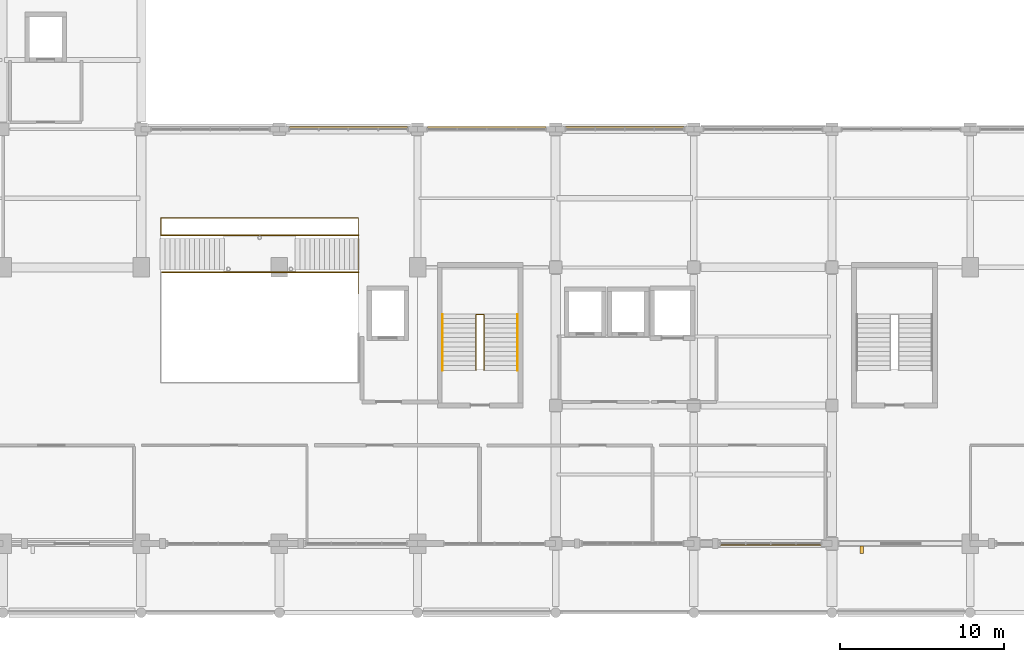
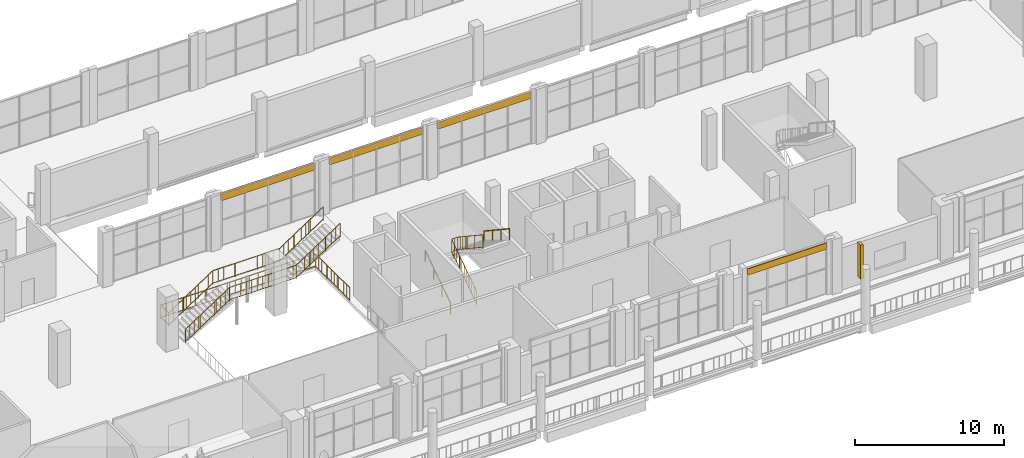
# One storey, part 71 of 75: 6 railings, 4 shading devices, 1 covering.
"""IFC4 building model written with IfcOpenShell, lengths in metres."""

from ifc_helpers import new_model, si_unit, derived_unit, direction, frame, origin, origin_2d, place, context, subcontext, project, spatial, rectangle, circle, extrude, material, layer, layer_set, type_object, element, save


model = new_model("IFC4")

# Units and contexts
model_context = context("Model", 3, precision=1e-05, world=origin(), true_north=direction((0.0, 1.0)))
body_context = subcontext(model_context, "Body", "Model", "MODEL_VIEW")
ifc_project = project(units=[si_unit("LENGTHUNIT", "METRE"), si_unit("AREAUNIT", "SQUARE_METRE"), si_unit("VOLUMEUNIT", "CUBIC_METRE"), si_unit("PLANEANGLEUNIT", "RADIAN"), si_unit("MASSUNIT", "GRAM", prefix="KILO"), derived_unit("THERMALTRANSMITTANCEUNIT", [(si_unit("POWERUNIT", "WATT"), 1), (si_unit("LENGTHUNIT", "METRE"), -2), (si_unit("THERMODYNAMICTEMPERATUREUNIT", "KELVIN"), -1)])], contexts=[model_context])

# Site, building, storey
site_placement = place(None, origin())
site = spatial("IfcSite", under=ifc_project, at=site_placement, CompositionType="ELEMENT")
building_placement = place(site_placement, origin())
building = spatial("IfcBuilding", under=site, at=building_placement, Name="Barrovel Congress Hotel", CompositionType="ELEMENT")
storey_placement = place(building_placement, frame((0.0, 0.0, 5.39990234375)))
storey = spatial("IfcBuildingStorey", under=building, at=storey_placement, Name="L01", CompositionType="ELEMENT", Elevation=5.39990234375)

# Covering
ifc_material_1 = material(Name="Glazed Terracotta Spandrel", Category="masonry")
ifc_layer_1 = layer(ifc_material_1, 0.1201171875)
ifc_layer_set_1 = layer_set([ifc_layer_1], Name="Glazed Terracotta Spandrel")
covering_type = type_object("IfcCoveringType", Name="COV-CLAD-TERRA", PredefinedType="CLADDING", material=ifc_layer_set_1)
covering_placement = place(storey_placement, frame((97.080078125, 4.14990234375, 3.710205078125), z_axis=(0.0, 0.0, 1.0), x_axis=(1.0, 0.0, 0.0)))
element("IfcCovering", 1, at=covering_placement, inside=storey, type_object=covering_type, Name="CLAD:L01:S:11", PredefinedType="CLADDING", context=body_context, shape_type="SweptSolid", body=[
    extrude(rectangle(XDim=6.1201171875, YDim=0.1201171875, at=origin_2d()), origin(), (0.0, 0.0, 1.0), 0.52001953125),
])

# Railings
ifc_material_2 = material(Name="Painted Architectural Steel", Category="steel")
ifc_layer_2 = layer(ifc_material_2, 0.070068359375)
ifc_layer_set_2 = layer_set([ifc_layer_2], Name="Painted Architectural Steel")
railing_type_1 = type_object("IfcRailingType", Name="RAIL-GUARD-INT", PredefinedType="BALUSTRADE", material=ifc_layer_set_2)
railing_1_placement = place(storey_placement, frame((79.159912109375, 14.739990234375, 0.0)))
element("IfcRailing", 2, at=railing_1_placement, inside=storey, type_object=railing_type_1, Name="STAIR:XS-02:L01:GR-W", PredefinedType="BALUSTRADE", context=body_context, shape_type="SweptSolid", body=[
    extrude(circle(Radius=0.02392578125, at=origin_2d()), frame((0.0, 0.0, 1.11572265625), z_axis=(0.0, 0.833174834292, 0.553009670352), x_axis=(-1.0, 0.0, 0.0)), (0.0, 0.0, 1.0), 4.068603515625),
    extrude(circle(Radius=0.02392578125, at=origin_2d()), frame((0.0, 0.0, 0.10009765625), z_axis=(0.0, 0.833174834292, 0.553009670352), x_axis=(-1.0, 0.0, 0.0)), (0.0, 0.0, 1.0), 4.068603515625),
    extrude(circle(Radius=0.010009765625, at=origin_2d()), frame((0.0, 0.3388671875, 0.324951171875)), (0.0, 0.0, 1.0), 0.99169921875),
    extrude(circle(Radius=0.010009765625, at=origin_2d()), frame((0.0, 0.677978515625, 0.550048828125)), (0.0, 0.0, 1.0), 0.99169921875),
    extrude(circle(Radius=0.010009765625, at=origin_2d()), frame((0.0, 1.01708984375, 0.77490234375)), (0.0, 0.0, 1.0), 0.99169921875),
    extrude(circle(Radius=0.010009765625, at=origin_2d()), frame((0.0, 1.35595703125, 1.0)), (0.0, 0.0, 1.0), 0.99169921875),
    extrude(circle(Radius=0.010009765625, at=origin_2d()), frame((0.0, 1.69482421875, 1.22509765625)), (0.0, 0.0, 1.0), 0.99169921875),
    extrude(circle(Radius=0.010009765625, at=origin_2d()), frame((0.0, 2.033935546875, 1.449951171875)), (0.0, 0.0, 1.0), 0.99169921875),
    extrude(circle(Radius=0.010009765625, at=origin_2d()), frame((0.0, 2.373046875, 1.675048828125)), (0.0, 0.0, 1.0), 0.99169921875),
    extrude(circle(Radius=0.010009765625, at=origin_2d()), frame((0.0, 2.7119140625, 1.89990234375)), (0.0, 0.0, 1.0), 0.99169921875),
    extrude(circle(Radius=0.010009765625, at=origin_2d()), frame((0.0, 3.05078125, 2.125)), (0.0, 0.0, 1.0), 0.99169921875),
    extrude(circle(Radius=0.02392578125, at=origin_2d()), frame((0.0, 3.389892578125, 3.36572265625), z_axis=(1.0, 0.0, 0.0), x_axis=(0.0, 1.0, 0.0)), (0.0, 0.0, 1.0), 0.47998046875),
    extrude(circle(Radius=0.02392578125, at=origin_2d()), frame((0.0, 3.389892578125, 2.35009765625), z_axis=(1.0, 0.0, 0.0), x_axis=(0.0, 1.0, 0.0)), (0.0, 0.0, 1.0), 0.47998046875),
    extrude(circle(Radius=0.010009765625, at=origin_2d()), frame((0.239990234375, 3.389892578125, 2.35009765625)), (0.0, 0.0, 1.0), 0.99169921875),
    extrude(circle(Radius=0.02392578125, at=origin_2d()), frame((0.47998046875, 3.389892578125, 3.36572265625), z_axis=(0.0, -0.833174834292, 0.553009670352), x_axis=(1.0, 0.0, 0.0)), (0.0, 0.0, 1.0), 4.068603515625),
    extrude(circle(Radius=0.02392578125, at=origin_2d()), frame((0.47998046875, 3.389892578125, 2.35009765625), z_axis=(0.0, -0.833174834292, 0.553009670352), x_axis=(1.0, 0.0, 0.0)), (0.0, 0.0, 1.0), 4.068603515625),
    extrude(circle(Radius=0.010009765625, at=origin_2d()), frame((0.47998046875, 3.05078125, 2.574951171875)), (0.0, 0.0, 1.0), 0.99169921875),
    extrude(circle(Radius=0.010009765625, at=origin_2d()), frame((0.47998046875, 2.7119140625, 2.800048828125)), (0.0, 0.0, 1.0), 0.99169921875),
    extrude(circle(Radius=0.010009765625, at=origin_2d()), frame((0.47998046875, 2.373046875, 3.02490234375)), (0.0, 0.0, 1.0), 0.99169921875),
    extrude(circle(Radius=0.010009765625, at=origin_2d()), frame((0.47998046875, 2.033935546875, 3.25)), (0.0, 0.0, 1.0), 0.99169921875),
    extrude(circle(Radius=0.010009765625, at=origin_2d()), frame((0.47998046875, 1.69482421875, 3.47509765625)), (0.0, 0.0, 1.0), 0.99169921875),
    extrude(circle(Radius=0.010009765625, at=origin_2d()), frame((0.47998046875, 1.35595703125, 3.699951171875)), (0.0, 0.0, 1.0), 0.99169921875),
    extrude(circle(Radius=0.010009765625, at=origin_2d()), frame((0.47998046875, 1.01708984375, 3.925048828125)), (0.0, 0.0, 1.0), 0.99169921875),
    extrude(circle(Radius=0.010009765625, at=origin_2d()), frame((0.47998046875, 0.677978515625, 4.14990234375)), (0.0, 0.0, 1.0), 0.99169921875),
    extrude(circle(Radius=0.010009765625, at=origin_2d()), frame((0.47998046875, 0.3388671875, 4.375)), (0.0, 0.0, 1.0), 0.99169921875),
    extrude(circle(Radius=0.02099609375, at=origin_2d()), origin(), (0.0, 0.0, 1.0), 1.091796875),
    extrude(circle(Radius=0.02099609375, at=origin_2d()), frame((0.0, 1.1298828125, 0.75)), (0.0, 0.0, 1.0), 1.091796875),
    extrude(circle(Radius=0.02099609375, at=origin_2d()), frame((0.0, 2.260009765625, 1.5)), (0.0, 0.0, 1.0), 1.091796875),
    extrude(circle(Radius=0.02099609375, at=origin_2d()), frame((0.0, 3.389892578125, 2.25)), (0.0, 0.0, 1.0), 1.091796875),
    extrude(circle(Radius=0.02099609375, at=origin_2d()), frame((0.47998046875, 3.389892578125, 2.25)), (0.0, 0.0, 1.0), 1.091796875),
    extrude(circle(Radius=0.02099609375, at=origin_2d()), frame((0.47998046875, 2.260009765625, 3.0)), (0.0, 0.0, 1.0), 1.091796875),
    extrude(circle(Radius=0.02099609375, at=origin_2d()), frame((0.47998046875, 1.1298828125, 3.75)), (0.0, 0.0, 1.0), 1.091796875),
    extrude(circle(Radius=0.02099609375, at=origin_2d()), frame((0.47998046875, 0.0, 4.5)), (0.0, 0.0, 1.0), 1.091796875),
])
railing_2_placement = place(storey_placement, frame((60.0, 20.699951171875, 0.0)))
element("IfcRailing", 3, at=railing_2_placement, inside=storey, type_object=railing_type_1, Name="STAIR:ATR-L01:GR1", PredefinedType="BALUSTRADE", context=body_context, shape_type="SweptSolid", body=[
    extrude(circle(Radius=0.02392578125, at=origin_2d()), frame((0.0, 0.0, 1.11572265625), z_axis=(0.835411317272, 0.0, 0.549625264133), x_axis=(0.0, 1.0, 0.0)), (0.0, 0.0, 1.0), 4.09375),
    extrude(circle(Radius=0.02392578125, at=origin_2d()), frame((0.0, 0.0, 0.10009765625), z_axis=(0.835411317272, 0.0, 0.549625264133), x_axis=(0.0, 1.0, 0.0)), (0.0, 0.0, 1.0), 4.09375),
    extrude(circle(Radius=0.010009765625, at=origin_2d()), frame((0.342041015625, 0.0, 0.324951171875)), (0.0, 0.0, 1.0), 0.99169921875),
    extrude(circle(Radius=0.010009765625, at=origin_2d()), frame((0.68408203125, 0.0, 0.550048828125)), (0.0, 0.0, 1.0), 0.99169921875),
    extrude(circle(Radius=0.010009765625, at=origin_2d()), frame((1.02587890625, 0.0, 0.77490234375)), (0.0, 0.0, 1.0), 0.99169921875),
    extrude(circle(Radius=0.010009765625, at=origin_2d()), frame((1.367919921875, 0.0, 1.0)), (0.0, 0.0, 1.0), 0.99169921875),
    extrude(circle(Radius=0.010009765625, at=origin_2d()), frame((1.7099609375, 0.0, 1.22509765625)), (0.0, 0.0, 1.0), 0.99169921875),
    extrude(circle(Radius=0.010009765625, at=origin_2d()), frame((2.052001953125, 0.0, 1.449951171875)), (0.0, 0.0, 1.0), 0.99169921875),
    extrude(circle(Radius=0.010009765625, at=origin_2d()), frame((2.39404296875, 0.0, 1.675048828125)), (0.0, 0.0, 1.0), 0.99169921875),
    extrude(circle(Radius=0.010009765625, at=origin_2d()), frame((2.73583984375, 0.0, 1.89990234375)), (0.0, 0.0, 1.0), 0.99169921875),
    extrude(circle(Radius=0.010009765625, at=origin_2d()), frame((3.077880859375, 0.0, 2.125)), (0.0, 0.0, 1.0), 0.99169921875),
    extrude(circle(Radius=0.02392578125, at=origin_2d()), frame((3.419921875, 0.0, 3.36572265625), z_axis=(1.0, 0.0, 0.0), x_axis=(0.0, 1.0, 0.0)), (0.0, 0.0, 1.0), 5.16015625),
    extrude(circle(Radius=0.02392578125, at=origin_2d()), frame((3.419921875, 0.0, 2.35009765625), z_axis=(1.0, 0.0, 0.0), x_axis=(0.0, 1.0, 0.0)), (0.0, 0.0, 1.0), 5.16015625),
    extrude(circle(Radius=0.010009765625, at=origin_2d()), frame((3.849853515625, 0.0, 2.35009765625)), (0.0, 0.0, 1.0), 0.99169921875),
    extrude(circle(Radius=0.010009765625, at=origin_2d()), frame((4.280029296875, 0.0, 2.35009765625)), (0.0, 0.0, 1.0), 0.99169921875),
    extrude(circle(Radius=0.010009765625, at=origin_2d()), frame((4.7099609375, 0.0, 2.35009765625)), (0.0, 0.0, 1.0), 0.99169921875),
    extrude(circle(Radius=0.010009765625, at=origin_2d()), frame((5.139892578125, 0.0, 2.35009765625)), (0.0, 0.0, 1.0), 0.99169921875),
    extrude(circle(Radius=0.010009765625, at=origin_2d()), frame((5.570068359375, 0.0, 2.35009765625)), (0.0, 0.0, 1.0), 0.99169921875),
    extrude(circle(Radius=0.010009765625, at=origin_2d()), frame((6.0, 0.0, 2.35009765625)), (0.0, 0.0, 1.0), 0.99169921875),
    extrude(circle(Radius=0.010009765625, at=origin_2d()), frame((6.429931640625, 0.0, 2.35009765625)), (0.0, 0.0, 1.0), 0.99169921875),
    extrude(circle(Radius=0.010009765625, at=origin_2d()), frame((6.860107421875, 0.0, 2.35009765625)), (0.0, 0.0, 1.0), 0.99169921875),
    extrude(circle(Radius=0.010009765625, at=origin_2d()), frame((7.2900390625, 0.0, 2.35009765625)), (0.0, 0.0, 1.0), 0.99169921875),
    extrude(circle(Radius=0.010009765625, at=origin_2d()), frame((7.719970703125, 0.0, 2.35009765625)), (0.0, 0.0, 1.0), 0.99169921875),
    extrude(circle(Radius=0.010009765625, at=origin_2d()), frame((8.150146484375, 0.0, 2.35009765625)), (0.0, 0.0, 1.0), 0.99169921875),
    extrude(circle(Radius=0.02392578125, at=origin_2d()), frame((8.580078125, 0.0, 3.36572265625), z_axis=(0.835411317272, 0.0, 0.549625264133), x_axis=(0.0, 1.0, 0.0)), (0.0, 0.0, 1.0), 4.09375),
    extrude(circle(Radius=0.02392578125, at=origin_2d()), frame((8.580078125, 0.0, 2.35009765625), z_axis=(0.835411317272, 0.0, 0.549625264133), x_axis=(0.0, 1.0, 0.0)), (0.0, 0.0, 1.0), 4.09375),
    extrude(circle(Radius=0.010009765625, at=origin_2d()), frame((8.922119140625, 0.0, 2.574951171875)), (0.0, 0.0, 1.0), 0.99169921875),
    extrude(circle(Radius=0.010009765625, at=origin_2d()), frame((9.26416015625, 0.0, 2.800048828125)), (0.0, 0.0, 1.0), 0.99169921875),
    extrude(circle(Radius=0.010009765625, at=origin_2d()), frame((9.60595703125, 0.0, 3.02490234375)), (0.0, 0.0, 1.0), 0.99169921875),
    extrude(circle(Radius=0.010009765625, at=origin_2d()), frame((9.947998046875, 0.0, 3.25)), (0.0, 0.0, 1.0), 0.99169921875),
    extrude(circle(Radius=0.010009765625, at=origin_2d()), frame((10.2900390625, 0.0, 3.47509765625)), (0.0, 0.0, 1.0), 0.99169921875),
    extrude(circle(Radius=0.010009765625, at=origin_2d()), frame((10.632080078125, 0.0, 3.699951171875)), (0.0, 0.0, 1.0), 0.99169921875),
    extrude(circle(Radius=0.010009765625, at=origin_2d()), frame((10.97412109375, 0.0, 3.925048828125)), (0.0, 0.0, 1.0), 0.99169921875),
    extrude(circle(Radius=0.010009765625, at=origin_2d()), frame((11.31591796875, 0.0, 4.14990234375)), (0.0, 0.0, 1.0), 0.99169921875),
    extrude(circle(Radius=0.010009765625, at=origin_2d()), frame((11.657958984375, 0.0, 4.375)), (0.0, 0.0, 1.0), 0.99169921875),
    extrude(circle(Radius=0.02099609375, at=origin_2d()), origin(), (0.0, 0.0, 1.0), 1.091796875),
    extrude(circle(Radius=0.02099609375, at=origin_2d()), frame((1.139892578125, 0.0, 0.75)), (0.0, 0.0, 1.0), 1.091796875),
    extrude(circle(Radius=0.02099609375, at=origin_2d()), frame((2.280029296875, 0.0, 1.5)), (0.0, 0.0, 1.0), 1.091796875),
    extrude(circle(Radius=0.02099609375, at=origin_2d()), frame((3.419921875, 0.0, 2.25)), (0.0, 0.0, 1.0), 1.091796875),
    extrude(circle(Radius=0.02099609375, at=origin_2d()), frame((5.139892578125, 0.0, 2.25)), (0.0, 0.0, 1.0), 1.091796875),
    extrude(circle(Radius=0.02099609375, at=origin_2d()), frame((6.860107421875, 0.0, 2.25)), (0.0, 0.0, 1.0), 1.091796875),
    extrude(circle(Radius=0.02099609375, at=origin_2d()), frame((8.580078125, 0.0, 2.25)), (0.0, 0.0, 1.0), 1.091796875),
    extrude(circle(Radius=0.02099609375, at=origin_2d()), frame((9.719970703125, 0.0, 3.0)), (0.0, 0.0, 1.0), 1.091796875),
    extrude(circle(Radius=0.02099609375, at=origin_2d()), frame((10.860107421875, 0.0, 3.75)), (0.0, 0.0, 1.0), 1.091796875),
    extrude(circle(Radius=0.02099609375, at=origin_2d()), frame((12.0, 0.0, 4.5)), (0.0, 0.0, 1.0), 1.091796875),
])
railing_3_placement = place(storey_placement, frame((60.0, 22.949951171875, 0.0)))
element("IfcRailing", 4, at=railing_3_placement, inside=storey, type_object=railing_type_1, Name="STAIR:ATR-L01:GR2", PredefinedType="BALUSTRADE", context=body_context, shape_type="SweptSolid", body=[
    extrude(circle(Radius=0.02392578125, at=origin_2d()), frame((0.0, 0.0, 1.11572265625), z_axis=(0.835411317272, 0.0, 0.549625264133), x_axis=(0.0, 1.0, 0.0)), (0.0, 0.0, 1.0), 4.09375),
    extrude(circle(Radius=0.02392578125, at=origin_2d()), frame((0.0, 0.0, 0.10009765625), z_axis=(0.835411317272, 0.0, 0.549625264133), x_axis=(0.0, 1.0, 0.0)), (0.0, 0.0, 1.0), 4.09375),
    extrude(circle(Radius=0.010009765625, at=origin_2d()), frame((0.342041015625, 0.0, 0.324951171875)), (0.0, 0.0, 1.0), 0.99169921875),
    extrude(circle(Radius=0.010009765625, at=origin_2d()), frame((0.68408203125, 0.0, 0.550048828125)), (0.0, 0.0, 1.0), 0.99169921875),
    extrude(circle(Radius=0.010009765625, at=origin_2d()), frame((1.02587890625, 0.0, 0.77490234375)), (0.0, 0.0, 1.0), 0.99169921875),
    extrude(circle(Radius=0.010009765625, at=origin_2d()), frame((1.367919921875, 0.0, 1.0)), (0.0, 0.0, 1.0), 0.99169921875),
    extrude(circle(Radius=0.010009765625, at=origin_2d()), frame((1.7099609375, 0.0, 1.22509765625)), (0.0, 0.0, 1.0), 0.99169921875),
    extrude(circle(Radius=0.010009765625, at=origin_2d()), frame((2.052001953125, 0.0, 1.449951171875)), (0.0, 0.0, 1.0), 0.99169921875),
    extrude(circle(Radius=0.010009765625, at=origin_2d()), frame((2.39404296875, 0.0, 1.675048828125)), (0.0, 0.0, 1.0), 0.99169921875),
    extrude(circle(Radius=0.010009765625, at=origin_2d()), frame((2.73583984375, 0.0, 1.89990234375)), (0.0, 0.0, 1.0), 0.99169921875),
    extrude(circle(Radius=0.010009765625, at=origin_2d()), frame((3.077880859375, 0.0, 2.125)), (0.0, 0.0, 1.0), 0.99169921875),
    extrude(circle(Radius=0.02392578125, at=origin_2d()), frame((3.419921875, 0.0, 3.36572265625), z_axis=(1.0, 0.0, 0.0), x_axis=(0.0, 1.0, 0.0)), (0.0, 0.0, 1.0), 5.16015625),
    extrude(circle(Radius=0.02392578125, at=origin_2d()), frame((3.419921875, 0.0, 2.35009765625), z_axis=(1.0, 0.0, 0.0), x_axis=(0.0, 1.0, 0.0)), (0.0, 0.0, 1.0), 5.16015625),
    extrude(circle(Radius=0.010009765625, at=origin_2d()), frame((3.849853515625, 0.0, 2.35009765625)), (0.0, 0.0, 1.0), 0.99169921875),
    extrude(circle(Radius=0.010009765625, at=origin_2d()), frame((4.280029296875, 0.0, 2.35009765625)), (0.0, 0.0, 1.0), 0.99169921875),
    extrude(circle(Radius=0.010009765625, at=origin_2d()), frame((4.7099609375, 0.0, 2.35009765625)), (0.0, 0.0, 1.0), 0.99169921875),
    extrude(circle(Radius=0.010009765625, at=origin_2d()), frame((5.139892578125, 0.0, 2.35009765625)), (0.0, 0.0, 1.0), 0.99169921875),
    extrude(circle(Radius=0.010009765625, at=origin_2d()), frame((5.570068359375, 0.0, 2.35009765625)), (0.0, 0.0, 1.0), 0.99169921875),
    extrude(circle(Radius=0.010009765625, at=origin_2d()), frame((6.0, 0.0, 2.35009765625)), (0.0, 0.0, 1.0), 0.99169921875),
    extrude(circle(Radius=0.010009765625, at=origin_2d()), frame((6.429931640625, 0.0, 2.35009765625)), (0.0, 0.0, 1.0), 0.99169921875),
    extrude(circle(Radius=0.010009765625, at=origin_2d()), frame((6.860107421875, 0.0, 2.35009765625)), (0.0, 0.0, 1.0), 0.99169921875),
    extrude(circle(Radius=0.010009765625, at=origin_2d()), frame((7.2900390625, 0.0, 2.35009765625)), (0.0, 0.0, 1.0), 0.99169921875),
    extrude(circle(Radius=0.010009765625, at=origin_2d()), frame((7.719970703125, 0.0, 2.35009765625)), (0.0, 0.0, 1.0), 0.99169921875),
    extrude(circle(Radius=0.010009765625, at=origin_2d()), frame((8.150146484375, 0.0, 2.35009765625)), (0.0, 0.0, 1.0), 0.99169921875),
    extrude(circle(Radius=0.02392578125, at=origin_2d()), frame((8.580078125, 0.0, 3.36572265625), z_axis=(0.835411317272, 0.0, 0.549625264133), x_axis=(0.0, 1.0, 0.0)), (0.0, 0.0, 1.0), 4.09375),
    extrude(circle(Radius=0.02392578125, at=origin_2d()), frame((8.580078125, 0.0, 2.35009765625), z_axis=(0.835411317272, 0.0, 0.549625264133), x_axis=(0.0, 1.0, 0.0)), (0.0, 0.0, 1.0), 4.09375),
    extrude(circle(Radius=0.010009765625, at=origin_2d()), frame((8.922119140625, 0.0, 2.574951171875)), (0.0, 0.0, 1.0), 0.99169921875),
    extrude(circle(Radius=0.010009765625, at=origin_2d()), frame((9.26416015625, 0.0, 2.800048828125)), (0.0, 0.0, 1.0), 0.99169921875),
    extrude(circle(Radius=0.010009765625, at=origin_2d()), frame((9.60595703125, 0.0, 3.02490234375)), (0.0, 0.0, 1.0), 0.99169921875),
    extrude(circle(Radius=0.010009765625, at=origin_2d()), frame((9.947998046875, 0.0, 3.25)), (0.0, 0.0, 1.0), 0.99169921875),
    extrude(circle(Radius=0.010009765625, at=origin_2d()), frame((10.2900390625, 0.0, 3.47509765625)), (0.0, 0.0, 1.0), 0.99169921875),
    extrude(circle(Radius=0.010009765625, at=origin_2d()), frame((10.632080078125, 0.0, 3.699951171875)), (0.0, 0.0, 1.0), 0.99169921875),
    extrude(circle(Radius=0.010009765625, at=origin_2d()), frame((10.97412109375, 0.0, 3.925048828125)), (0.0, 0.0, 1.0), 0.99169921875),
    extrude(circle(Radius=0.010009765625, at=origin_2d()), frame((11.31591796875, 0.0, 4.14990234375)), (0.0, 0.0, 1.0), 0.99169921875),
    extrude(circle(Radius=0.010009765625, at=origin_2d()), frame((11.657958984375, 0.0, 4.375)), (0.0, 0.0, 1.0), 0.99169921875),
    extrude(circle(Radius=0.02099609375, at=origin_2d()), origin(), (0.0, 0.0, 1.0), 1.091796875),
    extrude(circle(Radius=0.02099609375, at=origin_2d()), frame((1.139892578125, 0.0, 0.75)), (0.0, 0.0, 1.0), 1.091796875),
    extrude(circle(Radius=0.02099609375, at=origin_2d()), frame((2.280029296875, 0.0, 1.5)), (0.0, 0.0, 1.0), 1.091796875),
    extrude(circle(Radius=0.02099609375, at=origin_2d()), frame((3.419921875, 0.0, 2.25)), (0.0, 0.0, 1.0), 1.091796875),
    extrude(circle(Radius=0.02099609375, at=origin_2d()), frame((5.139892578125, 0.0, 2.25)), (0.0, 0.0, 1.0), 1.091796875),
    extrude(circle(Radius=0.02099609375, at=origin_2d()), frame((6.860107421875, 0.0, 2.25)), (0.0, 0.0, 1.0), 1.091796875),
    extrude(circle(Radius=0.02099609375, at=origin_2d()), frame((8.580078125, 0.0, 2.25)), (0.0, 0.0, 1.0), 1.091796875),
    extrude(circle(Radius=0.02099609375, at=origin_2d()), frame((9.719970703125, 0.0, 3.0)), (0.0, 0.0, 1.0), 1.091796875),
    extrude(circle(Radius=0.02099609375, at=origin_2d()), frame((10.860107421875, 0.0, 3.75)), (0.0, 0.0, 1.0), 1.091796875),
    extrude(circle(Radius=0.02099609375, at=origin_2d()), frame((12.0, 0.0, 4.5)), (0.0, 0.0, 1.0), 1.091796875),
])
railing_4_placement = place(storey_placement, frame((72.0, 19.39990234375, 0.0)))
element("IfcRailing", 5, at=railing_4_placement, inside=storey, type_object=railing_type_1, Name="RAIL:L01:ATR-2", PredefinedType="BALUSTRADE", context=body_context, shape_type="SweptSolid", body=[
    extrude(circle(Radius=0.02392578125, at=origin_2d()), frame((0.0, 0.0, 1.11572265625), z_axis=(0.0, 1.0, 0.0), x_axis=(-1.0, 0.0, 0.0)), (0.0, 0.0, 1.0), 4.60009765625),
    extrude(circle(Radius=0.02392578125, at=origin_2d()), frame((0.0, 0.0, 0.10009765625), z_axis=(0.0, 1.0, 0.0), x_axis=(-1.0, 0.0, 0.0)), (0.0, 0.0, 1.0), 4.60009765625),
    extrude(circle(Radius=0.010009765625, at=origin_2d()), frame((0.0, 0.418212890625, 0.10009765625)), (0.0, 0.0, 1.0), 0.99169921875),
    extrude(circle(Radius=0.010009765625, at=origin_2d()), frame((0.0, 0.83642578125, 0.10009765625)), (0.0, 0.0, 1.0), 0.99169921875),
    extrude(circle(Radius=0.010009765625, at=origin_2d()), frame((0.0, 1.254638671875, 0.10009765625)), (0.0, 0.0, 1.0), 0.99169921875),
    extrude(circle(Radius=0.010009765625, at=origin_2d()), frame((0.0, 1.6728515625, 0.10009765625)), (0.0, 0.0, 1.0), 0.99169921875),
    extrude(circle(Radius=0.010009765625, at=origin_2d()), frame((0.0, 2.091064453125, 0.10009765625)), (0.0, 0.0, 1.0), 0.99169921875),
    extrude(circle(Radius=0.010009765625, at=origin_2d()), frame((0.0, 2.509033203125, 0.10009765625)), (0.0, 0.0, 1.0), 0.99169921875),
    extrude(circle(Radius=0.010009765625, at=origin_2d()), frame((0.0, 2.92724609375, 0.10009765625)), (0.0, 0.0, 1.0), 0.99169921875),
    extrude(circle(Radius=0.010009765625, at=origin_2d()), frame((0.0, 3.345458984375, 0.10009765625)), (0.0, 0.0, 1.0), 0.99169921875),
    extrude(circle(Radius=0.010009765625, at=origin_2d()), frame((0.0, 3.763671875, 0.10009765625)), (0.0, 0.0, 1.0), 0.99169921875),
    extrude(circle(Radius=0.010009765625, at=origin_2d()), frame((0.0, 4.181884765625, 0.10009765625)), (0.0, 0.0, 1.0), 0.99169921875),
    extrude(circle(Radius=0.02392578125, at=origin_2d()), frame((0.0, 4.60009765625, 1.11572265625), z_axis=(-1.0, 0.0, 0.0), x_axis=(0.0, -1.0, 0.0)), (0.0, 0.0, 1.0), 12.0),
    extrude(circle(Radius=0.02392578125, at=origin_2d()), frame((0.0, 4.60009765625, 0.10009765625), z_axis=(-1.0, 0.0, 0.0), x_axis=(0.0, -1.0, 0.0)), (0.0, 0.0, 1.0), 12.0),
    extrude(circle(Radius=0.010009765625, at=origin_2d()), frame((-0.4443359375, 4.60009765625, 0.10009765625)), (0.0, 0.0, 1.0), 0.99169921875),
    extrude(circle(Radius=0.010009765625, at=origin_2d()), frame((-0.888916015625, 4.60009765625, 0.10009765625)), (0.0, 0.0, 1.0), 0.99169921875),
    extrude(circle(Radius=0.010009765625, at=origin_2d()), frame((-1.333251953125, 4.60009765625, 0.10009765625)), (0.0, 0.0, 1.0), 0.99169921875),
    extrude(circle(Radius=0.010009765625, at=origin_2d()), frame((-1.77783203125, 4.60009765625, 0.10009765625)), (0.0, 0.0, 1.0), 0.99169921875),
    extrude(circle(Radius=0.010009765625, at=origin_2d()), frame((-2.22216796875, 4.60009765625, 0.10009765625)), (0.0, 0.0, 1.0), 0.99169921875),
    extrude(circle(Radius=0.010009765625, at=origin_2d()), frame((-2.666748046875, 4.60009765625, 0.10009765625)), (0.0, 0.0, 1.0), 0.99169921875),
    extrude(circle(Radius=0.010009765625, at=origin_2d()), frame((-3.111083984375, 4.60009765625, 0.10009765625)), (0.0, 0.0, 1.0), 0.99169921875),
    extrude(circle(Radius=0.010009765625, at=origin_2d()), frame((-3.5556640625, 4.60009765625, 0.10009765625)), (0.0, 0.0, 1.0), 0.99169921875),
    extrude(circle(Radius=0.010009765625, at=origin_2d()), frame((-4.0, 4.60009765625, 0.10009765625)), (0.0, 0.0, 1.0), 0.99169921875),
    extrude(circle(Radius=0.010009765625, at=origin_2d()), frame((-4.4443359375, 4.60009765625, 0.10009765625)), (0.0, 0.0, 1.0), 0.99169921875),
    extrude(circle(Radius=0.010009765625, at=origin_2d()), frame((-4.888916015625, 4.60009765625, 0.10009765625)), (0.0, 0.0, 1.0), 0.99169921875),
    extrude(circle(Radius=0.010009765625, at=origin_2d()), frame((-5.333251953125, 4.60009765625, 0.10009765625)), (0.0, 0.0, 1.0), 0.99169921875),
    extrude(circle(Radius=0.010009765625, at=origin_2d()), frame((-5.77783203125, 4.60009765625, 0.10009765625)), (0.0, 0.0, 1.0), 0.99169921875),
    extrude(circle(Radius=0.010009765625, at=origin_2d()), frame((-6.22216796875, 4.60009765625, 0.10009765625)), (0.0, 0.0, 1.0), 0.99169921875),
    extrude(circle(Radius=0.010009765625, at=origin_2d()), frame((-6.666748046875, 4.60009765625, 0.10009765625)), (0.0, 0.0, 1.0), 0.99169921875),
    extrude(circle(Radius=0.010009765625, at=origin_2d()), frame((-7.111083984375, 4.60009765625, 0.10009765625)), (0.0, 0.0, 1.0), 0.99169921875),
    extrude(circle(Radius=0.010009765625, at=origin_2d()), frame((-7.5556640625, 4.60009765625, 0.10009765625)), (0.0, 0.0, 1.0), 0.99169921875),
    extrude(circle(Radius=0.010009765625, at=origin_2d()), frame((-8.0, 4.60009765625, 0.10009765625)), (0.0, 0.0, 1.0), 0.99169921875),
    extrude(circle(Radius=0.010009765625, at=origin_2d()), frame((-8.4443359375, 4.60009765625, 0.10009765625)), (0.0, 0.0, 1.0), 0.99169921875),
    extrude(circle(Radius=0.010009765625, at=origin_2d()), frame((-8.888916015625, 4.60009765625, 0.10009765625)), (0.0, 0.0, 1.0), 0.99169921875),
    extrude(circle(Radius=0.010009765625, at=origin_2d()), frame((-9.333251953125, 4.60009765625, 0.10009765625)), (0.0, 0.0, 1.0), 0.99169921875),
    extrude(circle(Radius=0.010009765625, at=origin_2d()), frame((-9.77783203125, 4.60009765625, 0.10009765625)), (0.0, 0.0, 1.0), 0.99169921875),
    extrude(circle(Radius=0.010009765625, at=origin_2d()), frame((-10.22216796875, 4.60009765625, 0.10009765625)), (0.0, 0.0, 1.0), 0.99169921875),
    extrude(circle(Radius=0.010009765625, at=origin_2d()), frame((-10.666748046875, 4.60009765625, 0.10009765625)), (0.0, 0.0, 1.0), 0.99169921875),
    extrude(circle(Radius=0.010009765625, at=origin_2d()), frame((-11.111083984375, 4.60009765625, 0.10009765625)), (0.0, 0.0, 1.0), 0.99169921875),
    extrude(circle(Radius=0.010009765625, at=origin_2d()), frame((-11.5556640625, 4.60009765625, 0.10009765625)), (0.0, 0.0, 1.0), 0.99169921875),
    extrude(circle(Radius=0.02392578125, at=origin_2d()), frame((-12.0, 4.60009765625, 1.11572265625), z_axis=(0.0, -1.0, 0.0), x_axis=(1.0, 0.0, 0.0)), (0.0, 0.0, 1.0), 1.050048828125),
    extrude(circle(Radius=0.02392578125, at=origin_2d()), frame((-12.0, 4.60009765625, 0.10009765625), z_axis=(0.0, -1.0, 0.0), x_axis=(1.0, 0.0, 0.0)), (0.0, 0.0, 1.0), 1.050048828125),
    extrude(circle(Radius=0.010009765625, at=origin_2d()), frame((-12.0, 4.25, 0.10009765625)), (0.0, 0.0, 1.0), 0.99169921875),
    extrude(circle(Radius=0.010009765625, at=origin_2d()), frame((-12.0, 3.900146484375, 0.10009765625)), (0.0, 0.0, 1.0), 0.99169921875),
    extrude(circle(Radius=0.02099609375, at=origin_2d()), origin(), (0.0, 0.0, 1.0), 1.091796875),
    extrude(circle(Radius=0.02099609375, at=origin_2d()), frame((0.0, 1.533447265625, 0.0)), (0.0, 0.0, 1.0), 1.091796875),
    extrude(circle(Radius=0.02099609375, at=origin_2d()), frame((0.0, 3.066650390625, 0.0)), (0.0, 0.0, 1.0), 1.091796875),
    extrude(circle(Radius=0.02099609375, at=origin_2d()), frame((0.0, 4.60009765625, 0.0)), (0.0, 0.0, 1.0), 1.091796875),
    extrude(circle(Radius=0.02099609375, at=origin_2d()), frame((-1.71435546875, 4.60009765625, 0.0)), (0.0, 0.0, 1.0), 1.091796875),
    extrude(circle(Radius=0.02099609375, at=origin_2d()), frame((-3.428466796875, 4.60009765625, 0.0)), (0.0, 0.0, 1.0), 1.091796875),
    extrude(circle(Radius=0.02099609375, at=origin_2d()), frame((-5.142822265625, 4.60009765625, 0.0)), (0.0, 0.0, 1.0), 1.091796875),
    extrude(circle(Radius=0.02099609375, at=origin_2d()), frame((-6.857177734375, 4.60009765625, 0.0)), (0.0, 0.0, 1.0), 1.091796875),
    extrude(circle(Radius=0.02099609375, at=origin_2d()), frame((-8.571533203125, 4.60009765625, 0.0)), (0.0, 0.0, 1.0), 1.091796875),
    extrude(circle(Radius=0.02099609375, at=origin_2d()), frame((-10.28564453125, 4.60009765625, 0.0)), (0.0, 0.0, 1.0), 1.091796875),
    extrude(circle(Radius=0.02099609375, at=origin_2d()), frame((-12.0, 4.60009765625, 0.0)), (0.0, 0.0, 1.0), 1.091796875),
    extrude(circle(Radius=0.02099609375, at=origin_2d()), frame((-12.0, 3.550048828125, 0.0)), (0.0, 0.0, 1.0), 1.091796875),
])
ifc_material_3 = material(Name="Brushed Stainless Steel", Category="steel")
ifc_layer_3 = layer(ifc_material_3, 0.050048828125)
ifc_layer_set_3 = layer_set([ifc_layer_3], Name="Brushed Stainless Steel")
railing_type_2 = type_object("IfcRailingType", Name="RAIL-HAND", PredefinedType="HANDRAIL", material=ifc_layer_set_3)
railing_5_placement = place(storey_placement, frame((77.1201171875, 14.739990234375, 0.0)))
element("IfcRailing", 6, at=railing_5_placement, inside=storey, type_object=railing_type_2, Name="STAIR:XS-02:L01:HR-1", PredefinedType="HANDRAIL", context=body_context, shape_type="SweptSolid", body=[
    extrude(circle(Radius=0.02392578125, at=origin_2d()), frame((0.0, 0.0, 0.89599609375), z_axis=(0.0, 0.833174834292, 0.553009670352), x_axis=(-1.0, 0.0, 0.0)), (0.0, 0.0, 1.0), 4.068603515625),
    extrude(circle(Radius=0.02099609375, at=origin_2d()), origin(), (0.0, 0.0, 1.0), 0.871826171875),
    extrude(circle(Radius=0.02099609375, at=origin_2d()), frame((0.0, 1.1298828125, 0.75)), (0.0, 0.0, 1.0), 0.871826171875),
    extrude(circle(Radius=0.02099609375, at=origin_2d()), frame((0.0, 2.260009765625, 1.5)), (0.0, 0.0, 1.0), 0.871826171875),
    extrude(circle(Radius=0.02099609375, at=origin_2d()), frame((0.0, 3.389892578125, 2.25)), (0.0, 0.0, 1.0), 0.871826171875),
])
railing_6_placement = place(storey_placement, frame((81.679931640625, 18.1298828125, 2.25)))
element("IfcRailing", 7, at=railing_6_placement, inside=storey, type_object=railing_type_2, Name="STAIR:XS-02:L01:HR-2", PredefinedType="HANDRAIL", context=body_context, shape_type="SweptSolid", body=[
    extrude(circle(Radius=0.02392578125, at=origin_2d()), frame((0.0, 0.0, 0.89599609375), z_axis=(0.0, -0.833174834292, 0.553009670352), x_axis=(1.0, 0.0, 0.0)), (0.0, 0.0, 1.0), 4.068603515625),
    extrude(circle(Radius=0.02099609375, at=origin_2d()), origin(), (0.0, 0.0, 1.0), 0.871826171875),
    extrude(circle(Radius=0.02099609375, at=origin_2d()), frame((0.0, -1.1298828125, 0.75)), (0.0, 0.0, 1.0), 0.871826171875),
    extrude(circle(Radius=0.02099609375, at=origin_2d()), frame((0.0, -2.260009765625, 1.5)), (0.0, 0.0, 1.0), 0.871826171875),
    extrude(circle(Radius=0.02099609375, at=origin_2d()), frame((0.0, -3.389892578125, 2.25)), (0.0, 0.0, 1.0), 0.871826171875),
])

# Shading devices
ifc_material_4 = material(Name="Extruded Terracotta Louvres", Category="masonry")
shading_device_type_1 = type_object("IfcShadingDeviceType", Name="SHD-CELOSIA", PredefinedType="JALOUSIE", material=ifc_material_4)
for number, where, z_axis, x_axis, name in (
    (8, (88.199951171875, 29.4599609375, 3.6650390625), (0.0, 0.0, 1.0), (1.0, 0.0, 0.0), "CEL:L01:CS:10"),
    (9, (79.800048828125, 29.4599609375, 3.6650390625), (0.0, 0.0, 1.0), (1.0, 0.0, 0.0), "CEL:L01:CS:09"),
    (10, (71.39990234375, 29.4599609375, 3.6650390625), (0.0, 0.0, 1.0), (1.0, 0.0, 0.0), "CEL:L01:CS:08"),
):
    element("IfcShadingDevice", number, at=place(storey_placement, frame(where, z_axis=z_axis, x_axis=x_axis)), inside=storey, type_object=shading_device_type_1, Name=name, PredefinedType="JALOUSIE", context=body_context, shape_type="SweptSolid", body=[
        extrude(rectangle(XDim=7.199951171875, YDim=0.179931640625, at=origin_2d()), origin(), (0.0, 0.0, 1.0), 0.550048828125),
    ])
ifc_material_5 = material(Name="Fired Clay Brick Masonry", Category="masonry")
shading_device_type_2 = type_object("IfcShadingDeviceType", Name="SHD-FIN", PredefinedType="USERDEFINED", material=ifc_material_5)
shading_device_placement = place(storey_placement, frame((102.60009765625, 3.820068359375, 0.7001953125), z_axis=(0.0, 0.0, 1.0), x_axis=(1.0, 0.0, 0.0)))
element("IfcShadingDevice", 11, at=shading_device_placement, inside=storey, type_object=shading_device_type_2, Name="FIN:L01:S:12", ObjectType="SOLAR FIN", PredefinedType="USERDEFINED", context=body_context, shape_type="SweptSolid", body=[
    extrude(rectangle(XDim=0.219970703125, YDim=0.449951171875, at=origin_2d()), origin(), (0.0, 0.0, 1.0), 2.800048828125),
])

save(model, "model.ifc")
